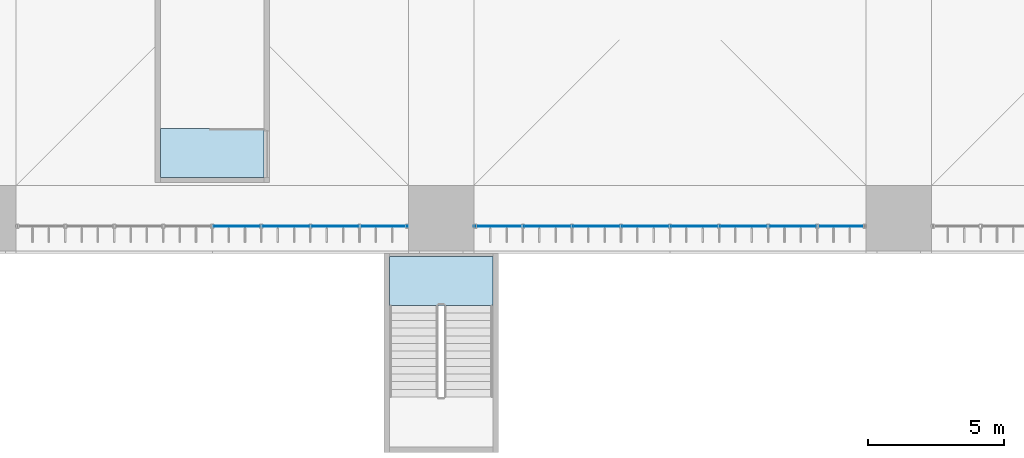
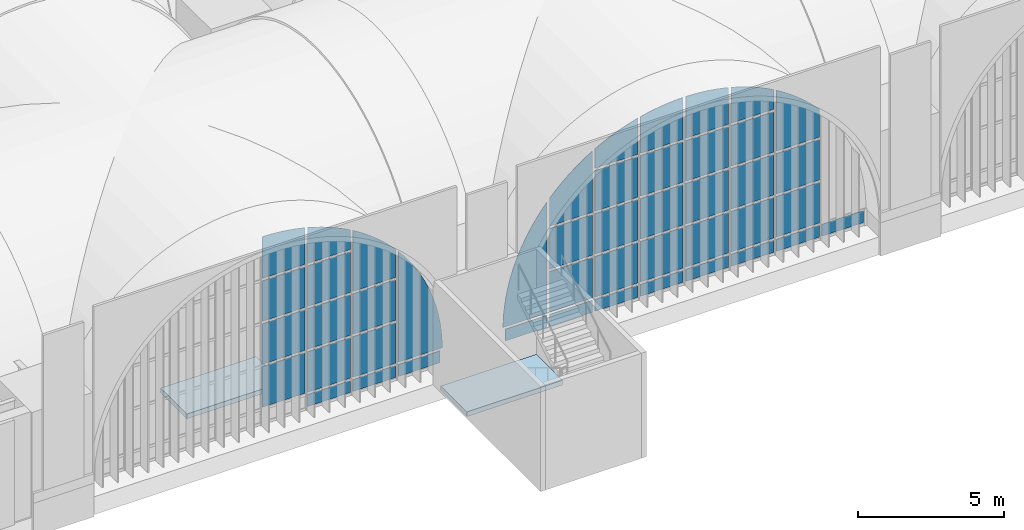
# One storey, part 76 of 169: 46 plates, 2 slabs, 2 elements without a shape of their own.
"""IFC4 building model written with IfcOpenShell, lengths in metres."""

from ifc_helpers import new_model, si_unit, direction, frame, origin, place, context, subcontext, project, spatial, polyline, outline, extrude, material, layer, layer_set, type_object, element, aggregate, save


model = new_model("IFC4")

# Units and contexts
model_context = context("Model", 3, precision=1e-05, world=origin(), true_north=direction((0.0, 1.0)))
body_context = subcontext(model_context, "Body", "Model", "MODEL_VIEW")
ifc_project = project(units=[si_unit("LENGTHUNIT", "METRE"), si_unit("AREAUNIT", "SQUARE_METRE"), si_unit("VOLUMEUNIT", "CUBIC_METRE"), si_unit("PLANEANGLEUNIT", "RADIAN"), si_unit("MASSUNIT", "GRAM", prefix="KILO")], contexts=[model_context])

# Site, building, storey
site_placement = place(None, origin())
site = spatial("IfcSite", under=ifc_project, at=site_placement, CompositionType="ELEMENT")
building_placement = place(site_placement, origin())
building = spatial("IfcBuilding", under=site, at=building_placement, Name="Verrick Yard Athletic Hall", CompositionType="ELEMENT")
storey_placement = place(building_placement, frame((0.0, 0.0, 4.39990234375)))
storey = spatial("IfcBuildingStorey", under=building, at=storey_placement, Name="L01", CompositionType="ELEMENT", Elevation=4.39990234375)

# Slabs
ifc_material_1 = material(Name="Concrete 35 MPa", Category="concrete")
ifc_layer_1 = layer(ifc_material_1, 0.199951171875)
ifc_layer_set_1 = layer_set([ifc_layer_1], Name="Core floor slab 200")
slab_type = type_object("IfcSlabType", Name="Core floor slab 200", PredefinedType="FLOOR", material=ifc_layer_set_1)
slab_1_placement = place(storey_placement, frame((0.0, 0.0, -0.199951171875)))
element("IfcSlab", 1, at=slab_1_placement, inside=storey, type_object=slab_type, Name="CORE-DT-S1-NL-L01", PredefinedType="FLOOR", context=body_context, shape_type="SweptSolid", body=[
    extrude(outline(polyline([(54.89990234375, 17.800048828125), (54.89990234375, 16.0), (58.699951171875, 16.0), (58.699951171875, 17.800048828125), (54.89990234375, 17.800048828125)])), origin(), (0.0, 0.0, 1.0), 0.199951171875),
])
slab_2_placement = place(storey_placement, frame((0.0, 0.0, -0.199951171875)))
element("IfcSlab", 2, at=slab_2_placement, inside=storey, type_object=slab_type, Name="CORE-PS-S1-NL-L01", PredefinedType="FLOOR", context=body_context, shape_type="SweptSolid", body=[
    extrude(outline(polyline([(50.300048828125, 20.699951171875), (50.300048828125, 22.5), (46.5, 22.5), (46.5, 20.699951171875), (50.300048828125, 20.699951171875)])), origin(), (0.0, 0.0, 1.0), 0.199951171875),
])

# Curtain wall, plates
ifc_material_2 = material(Name="Aluminium and glass curtain wall", Category="aluminium")
ifc_layer_2 = layer(ifc_material_2, 0.14990234375)
ifc_layer_set_2 = layer_set([ifc_layer_2], Name="Arcade glazing arch")
curtain_wall_type = type_object("IfcCurtainWallType", Name="Arcade glazing arch", PredefinedType="NOTDEFINED", material=ifc_layer_set_2)
curtain_wall_1_placement = place(storey_placement, origin())
curtain_wall_1 = element("IfcCurtainWall", 3, at=curtain_wall_1_placement, inside=storey, type_object=curtain_wall_type, Name="Arcade glazing S1", PredefinedType="NOTDEFINED")
ifc_material_3 = material(Name="Laminated glass 28 mm", Category="glass")
ifc_layer_3 = layer(ifc_material_3, 0.028076171875)
ifc_layer_set_3 = layer_set([ifc_layer_3], Name="Curtain wall glass panel")
plate_type = type_object("IfcPlateType", Name="Curtain wall glass panel", PredefinedType="CURTAIN_PANEL", material=ifc_layer_set_3)
plate_1_placement = place(storey_placement, frame((41.199951171875, 18.89990234375, 0.700927734375), z_axis=(0.0, 0.0, 1.0), x_axis=(1.0, 0.0, 0.0)))
plate_1 = element("IfcPlate", 4, at=plate_1_placement, type_object=plate_type, Name="Arcade glazing S1 panel 18", PredefinedType="CURTAIN_PANEL", context=body_context, shape_type="SweptSolid", body=[
    extrude(outline(polyline([(8.94921875, 0.0), (8.94921875, 1.698486328125), (7.250732421875, 1.698486328125), (7.250732421875, 0.0), (8.94921875, 0.0)])), frame((0.0, 0.01416015625, 0.0), z_axis=(0.0, -1.0, 0.0), x_axis=(1.0, 0.0, 0.0)), (0.0, 0.0, 1.0), 0.028076171875),
])
plate_2_placement = place(storey_placement, frame((41.199951171875, 18.89990234375, 2.5009765625), z_axis=(0.0, 0.0, 1.0), x_axis=(1.0, 0.0, 0.0)))
plate_2 = element("IfcPlate", 5, at=plate_2_placement, type_object=plate_type, Name="Arcade glazing S1 panel 19", PredefinedType="CURTAIN_PANEL", context=body_context, shape_type="SweptSolid", body=[
    extrude(outline(polyline([(8.94921875, 0.0), (8.94921875, 1.6982421875), (7.250732421875, 1.6982421875), (7.250732421875, 0.0), (8.94921875, 0.0)])), frame((0.0, 0.01416015625, 0.0), z_axis=(0.0, -1.0, 0.0), x_axis=(1.0, 0.0, 0.0)), (0.0, 0.0, 1.0), 0.028076171875),
])
plate_3_placement = place(storey_placement, frame((41.199951171875, 18.89990234375, 4.30078125), z_axis=(0.0, 0.0, 1.0), x_axis=(1.0, 0.0, 0.0)))
plate_3 = element("IfcPlate", 6, at=plate_3_placement, type_object=plate_type, Name="Arcade glazing S1 panel 20", PredefinedType="CURTAIN_PANEL", context=body_context, shape_type="SweptSolid", body=[
    extrude(outline(polyline([(8.94921875, 0.0), (8.94921875, 1.698486328125), (7.250732421875, 1.698486328125), (7.250732421875, 0.0), (8.94921875, 0.0)])), frame((0.0, 0.01416015625, 0.0), z_axis=(0.0, -1.0, 0.0), x_axis=(1.0, 0.0, 0.0)), (0.0, 0.0, 1.0), 0.028076171875),
])
plate_4_placement = place(storey_placement, frame((41.199951171875, 18.89990234375, 6.100830078125), z_axis=(0.0, 0.0, 1.0), x_axis=(1.0, 0.0, 0.0)))
plate_4 = element("IfcPlate", 7, at=plate_4_placement, type_object=plate_type, Name="Arcade glazing S1 panel 21", PredefinedType="CURTAIN_PANEL", context=body_context, shape_type="SweptSolid", body=[
    extrude(outline(polyline([(8.94921875, 1.531982421875), (8.75830078125, 1.57861328125), (8.4501953125, 1.639892578125), (8.139892578125, 1.687744140625), (7.827392578125, 1.721923828125), (7.51416015625, 1.742431640625), (7.250732421875, 1.748046875), (7.250732421875, 0.0), (8.94921875, 0.0), (8.94921875, 1.531982421875)])), frame((0.0, 0.01416015625, 0.0), z_axis=(0.0, -1.0, 0.0), x_axis=(1.0, 0.0, 0.0)), (0.0, 0.0, 1.0), 0.028076171875),
])
plate_5_placement = place(storey_placement, frame((41.199951171875, 18.89990234375, 0.101806640625), z_axis=(0.0, 0.0, 1.0), x_axis=(1.0, 0.0, 0.0)))
plate_5 = element("IfcPlate", 8, at=plate_5_placement, type_object=plate_type, Name="Arcade glazing S1 panel 22", PredefinedType="CURTAIN_PANEL", context=body_context, shape_type="SweptSolid", body=[
    extrude(outline(polyline([(10.749267578125, 0.0), (10.749267578125, 0.49755859375), (9.05078125, 0.49755859375), (9.05078125, 0.0), (10.749267578125, 0.0)])), frame((0.0, 0.01416015625, 0.0), z_axis=(0.0, -1.0, 0.0), x_axis=(1.0, 0.0, 0.0)), (0.0, 0.0, 1.0), 0.028076171875),
])
plate_6_placement = place(storey_placement, frame((41.199951171875, 18.89990234375, 0.700927734375), z_axis=(0.0, 0.0, 1.0), x_axis=(1.0, 0.0, 0.0)))
plate_6 = element("IfcPlate", 9, at=plate_6_placement, type_object=plate_type, Name="Arcade glazing S1 panel 23", PredefinedType="CURTAIN_PANEL", context=body_context, shape_type="SweptSolid", body=[
    extrude(outline(polyline([(10.749267578125, 0.0), (10.749267578125, 1.698486328125), (9.05078125, 1.698486328125), (9.05078125, 0.0), (10.749267578125, 0.0)])), frame((0.0, 0.01416015625, 0.0), z_axis=(0.0, -1.0, 0.0), x_axis=(1.0, 0.0, 0.0)), (0.0, 0.0, 1.0), 0.028076171875),
])
plate_7_placement = place(storey_placement, frame((41.199951171875, 18.89990234375, 2.5009765625), z_axis=(0.0, 0.0, 1.0), x_axis=(1.0, 0.0, 0.0)))
plate_7 = element("IfcPlate", 10, at=plate_7_placement, type_object=plate_type, Name="Arcade glazing S1 panel 24", PredefinedType="CURTAIN_PANEL", context=body_context, shape_type="SweptSolid", body=[
    extrude(outline(polyline([(10.749267578125, 0.0), (10.749267578125, 1.6982421875), (9.05078125, 1.6982421875), (9.05078125, 0.0), (10.749267578125, 0.0)])), frame((0.0, 0.01416015625, 0.0), z_axis=(0.0, -1.0, 0.0), x_axis=(1.0, 0.0, 0.0)), (0.0, 0.0, 1.0), 0.028076171875),
])
plate_8_placement = place(storey_placement, frame((41.199951171875, 18.89990234375, 4.30078125), z_axis=(0.0, 0.0, 1.0), x_axis=(1.0, 0.0, 0.0)))
plate_8 = element("IfcPlate", 11, at=plate_8_placement, type_object=plate_type, Name="Arcade glazing S1 panel 25", PredefinedType="CURTAIN_PANEL", context=body_context, shape_type="SweptSolid", body=[
    extrude(outline(polyline([(10.749267578125, 0.0), (10.749267578125, 1.698486328125), (9.05078125, 1.698486328125), (9.05078125, 0.0), (10.749267578125, 0.0)])), frame((0.0, 0.01416015625, 0.0), z_axis=(0.0, -1.0, 0.0), x_axis=(1.0, 0.0, 0.0)), (0.0, 0.0, 1.0), 0.028076171875),
])
plate_9_placement = place(storey_placement, frame((41.199951171875, 18.89990234375, 6.100830078125), z_axis=(0.0, 0.0, 1.0), x_axis=(1.0, 0.0, 0.0)))
plate_9 = element("IfcPlate", 12, at=plate_9_placement, type_object=plate_type, Name="Arcade glazing S1 panel 26", PredefinedType="CURTAIN_PANEL", context=body_context, shape_type="SweptSolid", body=[
    extrude(outline(polyline([(10.749267578125, 0.8125), (10.524658203125, 0.935791015625), (10.242919921875, 1.07470703125), (9.955322265625, 1.201171875), (9.66259765625, 1.315185546875), (9.364990234375, 1.416015625), (9.0634765625, 1.50390625), (9.05078125, 1.507080078125), (9.05078125, 0.0), (10.749267578125, 0.0), (10.749267578125, 0.8125)])), frame((0.0, 0.01416015625, 0.0), z_axis=(0.0, -1.0, 0.0), x_axis=(1.0, 0.0, 0.0)), (0.0, 0.0, 1.0), 0.028076171875),
])
plate_10_placement = place(storey_placement, frame((41.199951171875, 18.89990234375, 0.101806640625), z_axis=(0.0, 0.0, 1.0), x_axis=(1.0, 0.0, 0.0)))
plate_10 = element("IfcPlate", 13, at=plate_10_placement, type_object=plate_type, Name="Arcade glazing S1 panel 27", PredefinedType="CURTAIN_PANEL", context=body_context, shape_type="SweptSolid", body=[
    extrude(outline(polyline([(12.54931640625, 0.0), (12.54931640625, 0.49755859375), (10.850830078125, 0.49755859375), (10.850830078125, 0.0), (12.54931640625, 0.0)])), frame((0.0, 0.01416015625, 0.0), z_axis=(0.0, -1.0, 0.0), x_axis=(1.0, 0.0, 0.0)), (0.0, 0.0, 1.0), 0.028076171875),
])
plate_11_placement = place(storey_placement, frame((41.199951171875, 18.89990234375, 0.700927734375), z_axis=(0.0, 0.0, 1.0), x_axis=(1.0, 0.0, 0.0)))
plate_11 = element("IfcPlate", 14, at=plate_11_placement, type_object=plate_type, Name="Arcade glazing S1 panel 28", PredefinedType="CURTAIN_PANEL", context=body_context, shape_type="SweptSolid", body=[
    extrude(outline(polyline([(12.54931640625, 0.0), (12.54931640625, 1.698486328125), (10.850830078125, 1.698486328125), (10.850830078125, 0.0), (12.54931640625, 0.0)])), frame((0.0, 0.01416015625, 0.0), z_axis=(0.0, -1.0, 0.0), x_axis=(1.0, 0.0, 0.0)), (0.0, 0.0, 1.0), 0.028076171875),
])
plate_12_placement = place(storey_placement, frame((41.199951171875, 18.89990234375, 2.5009765625), z_axis=(0.0, 0.0, 1.0), x_axis=(1.0, 0.0, 0.0)))
plate_12 = element("IfcPlate", 15, at=plate_12_placement, type_object=plate_type, Name="Arcade glazing S1 panel 29", PredefinedType="CURTAIN_PANEL", context=body_context, shape_type="SweptSolid", body=[
    extrude(outline(polyline([(12.54931640625, 0.0), (12.54931640625, 1.6982421875), (10.850830078125, 1.6982421875), (10.850830078125, 0.0), (12.54931640625, 0.0)])), frame((0.0, 0.01416015625, 0.0), z_axis=(0.0, -1.0, 0.0), x_axis=(1.0, 0.0, 0.0)), (0.0, 0.0, 1.0), 0.028076171875),
])
plate_13_placement = place(storey_placement, frame((41.199951171875, 18.89990234375, 4.30078125), z_axis=(0.0, 0.0, 1.0), x_axis=(1.0, 0.0, 0.0)))
plate_13 = element("IfcPlate", 16, at=plate_13_placement, type_object=plate_type, Name="Arcade glazing S1 panel 30", PredefinedType="CURTAIN_PANEL", context=body_context, shape_type="SweptSolid", body=[
    extrude(outline(polyline([(12.54931640625, 1.1669921875), (12.50830078125, 1.213623046875), (12.291259765625, 1.4404296875), (12.064208984375, 1.65771484375), (11.828125, 1.86474609375), (11.5830078125, 2.0615234375), (11.329833984375, 2.247314453125), (11.068603515625, 2.421630859375), (10.850830078125, 2.553955078125), (10.850830078125, 0.0), (12.54931640625, 0.0), (12.54931640625, 1.1669921875)])), frame((0.0, 0.01416015625, 0.0), z_axis=(0.0, -1.0, 0.0), x_axis=(1.0, 0.0, 0.0)), (0.0, 0.0, 1.0), 0.028076171875),
])
plate_14_placement = place(storey_placement, frame((41.199951171875, 18.89990234375, 0.101806640625), z_axis=(0.0, 0.0, 1.0), x_axis=(1.0, 0.0, 0.0)))
plate_14 = element("IfcPlate", 17, at=plate_14_placement, type_object=plate_type, Name="Arcade glazing S1 panel 31", PredefinedType="CURTAIN_PANEL", context=body_context, shape_type="SweptSolid", body=[
    extrude(outline(polyline([(14.2978515625, 0.0), (14.2978515625, 0.49755859375), (12.65087890625, 0.49755859375), (12.65087890625, 0.0), (14.2978515625, 0.0)])), frame((0.0, 0.01416015625, 0.0), z_axis=(0.0, -1.0, 0.0), x_axis=(1.0, 0.0, 0.0)), (0.0, 0.0, 1.0), 0.028076171875),
])
plate_15_placement = place(storey_placement, frame((41.199951171875, 18.89990234375, 0.700927734375), z_axis=(0.0, 0.0, 1.0), x_axis=(1.0, 0.0, 0.0)))
plate_15 = element("IfcPlate", 18, at=plate_15_placement, type_object=plate_type, Name="Arcade glazing S1 panel 32", PredefinedType="CURTAIN_PANEL", context=body_context, shape_type="SweptSolid", body=[
    extrude(outline(polyline([(14.39892578125, 0.0), (14.39306640625, 0.26318359375), (14.37255859375, 0.57666015625), (14.33837890625, 0.888916015625), (14.29052734375, 1.199462890625), (14.229248046875, 1.507568359375), (14.15478515625, 1.812744140625), (14.06689453125, 2.1142578125), (13.9658203125, 2.41162109375), (13.851806640625, 2.70458984375), (13.725341796875, 2.9921875), (13.58642578125, 3.273681640625), (13.435302734375, 3.549072265625), (13.2724609375, 3.81787109375), (13.097900390625, 4.078857421875), (12.912109375, 4.332275390625), (12.715576171875, 4.5771484375), (12.65087890625, 4.651123046875), (12.65087890625, 0.0), (14.39892578125, 0.0)])), frame((0.0, 0.01416015625, 0.0), z_axis=(0.0, -1.0, 0.0), x_axis=(1.0, 0.0, 0.0)), (0.0, 0.0, 1.0), 0.028076171875),
])
aggregate(curtain_wall_1, [plate_1, plate_2, plate_3, plate_4, plate_5, plate_6, plate_7, plate_8, plate_9, plate_10, plate_11, plate_12, plate_13, plate_14, plate_15])

curtain_wall_2_placement = place(storey_placement, origin())
curtain_wall_2 = element("IfcCurtainWall", 19, at=curtain_wall_2_placement, inside=storey, type_object=curtain_wall_type, Name="Arcade glazing S2", PredefinedType="NOTDEFINED")
plate_16_placement = place(storey_placement, frame((58.0, 18.89990234375, 0.101806640625), z_axis=(0.0, 0.0, 1.0), x_axis=(1.0, 0.0, 0.0)))
plate_16 = element("IfcPlate", 20, at=plate_16_placement, type_object=plate_type, Name="Arcade glazing S2 panel 1", PredefinedType="CURTAIN_PANEL", context=body_context, shape_type="SweptSolid", body=[
    extrude(outline(polyline([(1.749267578125, 0.0), (1.749267578125, 0.49755859375), (0.10205078125, 0.49755859375), (0.10205078125, 0.0), (1.749267578125, 0.0)])), frame((0.0, 0.01416015625, 0.0), z_axis=(0.0, -1.0, 0.0), x_axis=(1.0, 0.0, 0.0)), (0.0, 0.0, 1.0), 0.028076171875),
])
plate_17_placement = place(storey_placement, frame((58.0, 18.89990234375, 0.700927734375), z_axis=(0.0, 0.0, 1.0), x_axis=(1.0, 0.0, 0.0)))
plate_17 = element("IfcPlate", 21, at=plate_17_placement, type_object=plate_type, Name="Arcade glazing S2 panel 2", PredefinedType="CURTAIN_PANEL", context=body_context, shape_type="SweptSolid", body=[
    extrude(outline(polyline([(1.749267578125, 4.651123046875), (1.6845703125, 4.5771484375), (1.48779296875, 4.332275390625), (1.302001953125, 4.078857421875), (1.127685546875, 3.81787109375), (0.964599609375, 3.549072265625), (0.8134765625, 3.273681640625), (0.674560546875, 2.9921875), (0.548095703125, 2.70458984375), (0.43408203125, 2.41162109375), (0.333251953125, 2.1142578125), (0.245361328125, 1.812744140625), (0.170654296875, 1.507568359375), (0.109375, 1.199462890625), (0.0615234375, 0.888916015625), (0.02734375, 0.57666015625), (0.0068359375, 0.26318359375), (0.001220703125, 0.0), (1.749267578125, 0.0), (1.749267578125, 4.651123046875)])), frame((0.0, 0.01416015625, 0.0), z_axis=(0.0, -1.0, 0.0), x_axis=(1.0, 0.0, 0.0)), (0.0, 0.0, 1.0), 0.028076171875),
])
plate_18_placement = place(storey_placement, frame((58.0, 18.89990234375, 0.101806640625), z_axis=(0.0, 0.0, 1.0), x_axis=(1.0, 0.0, 0.0)))
plate_18 = element("IfcPlate", 22, at=plate_18_placement, type_object=plate_type, Name="Arcade glazing S2 panel 3", PredefinedType="CURTAIN_PANEL", context=body_context, shape_type="SweptSolid", body=[
    extrude(outline(polyline([(3.54931640625, 0.0), (3.54931640625, 0.49755859375), (1.850830078125, 0.49755859375), (1.850830078125, 0.0), (3.54931640625, 0.0)])), frame((0.0, 0.01416015625, 0.0), z_axis=(0.0, -1.0, 0.0), x_axis=(1.0, 0.0, 0.0)), (0.0, 0.0, 1.0), 0.028076171875),
])
plate_19_placement = place(storey_placement, frame((58.0, 18.89990234375, 0.700927734375), z_axis=(0.0, 0.0, 1.0), x_axis=(1.0, 0.0, 0.0)))
plate_19 = element("IfcPlate", 23, at=plate_19_placement, type_object=plate_type, Name="Arcade glazing S2 panel 4", PredefinedType="CURTAIN_PANEL", context=body_context, shape_type="SweptSolid", body=[
    extrude(outline(polyline([(3.54931640625, 0.0), (3.54931640625, 1.698486328125), (1.850830078125, 1.698486328125), (1.850830078125, 0.0), (3.54931640625, 0.0)])), frame((0.0, 0.01416015625, 0.0), z_axis=(0.0, -1.0, 0.0), x_axis=(1.0, 0.0, 0.0)), (0.0, 0.0, 1.0), 0.028076171875),
])
plate_20_placement = place(storey_placement, frame((58.0, 18.89990234375, 2.5009765625), z_axis=(0.0, 0.0, 1.0), x_axis=(1.0, 0.0, 0.0)))
plate_20 = element("IfcPlate", 24, at=plate_20_placement, type_object=plate_type, Name="Arcade glazing S2 panel 5", PredefinedType="CURTAIN_PANEL", context=body_context, shape_type="SweptSolid", body=[
    extrude(outline(polyline([(3.54931640625, 0.0), (3.54931640625, 1.6982421875), (1.850830078125, 1.6982421875), (1.850830078125, 0.0), (3.54931640625, 0.0)])), frame((0.0, 0.01416015625, 0.0), z_axis=(0.0, -1.0, 0.0), x_axis=(1.0, 0.0, 0.0)), (0.0, 0.0, 1.0), 0.028076171875),
])
plate_21_placement = place(storey_placement, frame((58.0, 18.89990234375, 4.30078125), z_axis=(0.0, 0.0, 1.0), x_axis=(1.0, 0.0, 0.0)))
plate_21 = element("IfcPlate", 25, at=plate_21_placement, type_object=plate_type, Name="Arcade glazing S2 panel 6", PredefinedType="CURTAIN_PANEL", context=body_context, shape_type="SweptSolid", body=[
    extrude(outline(polyline([(3.54931640625, 2.553955078125), (3.331298828125, 2.421630859375), (3.0703125, 2.247314453125), (2.81689453125, 2.0615234375), (2.572021484375, 1.86474609375), (2.335693359375, 1.65771484375), (2.10888671875, 1.4404296875), (1.8916015625, 1.213623046875), (1.850830078125, 1.1669921875), (1.850830078125, 0.0), (3.54931640625, 0.0), (3.54931640625, 2.553955078125)])), frame((0.0, 0.01416015625, 0.0), z_axis=(0.0, -1.0, 0.0), x_axis=(1.0, 0.0, 0.0)), (0.0, 0.0, 1.0), 0.028076171875),
])
plate_22_placement = place(storey_placement, frame((58.0, 18.89990234375, 0.101806640625), z_axis=(0.0, 0.0, 1.0), x_axis=(1.0, 0.0, 0.0)))
plate_22 = element("IfcPlate", 26, at=plate_22_placement, type_object=plate_type, Name="Arcade glazing S2 panel 7", PredefinedType="CURTAIN_PANEL", context=body_context, shape_type="SweptSolid", body=[
    extrude(outline(polyline([(5.34912109375, 0.0), (5.34912109375, 0.49755859375), (3.65087890625, 0.49755859375), (3.65087890625, 0.0), (5.34912109375, 0.0)])), frame((0.0, 0.01416015625, 0.0), z_axis=(0.0, -1.0, 0.0), x_axis=(1.0, 0.0, 0.0)), (0.0, 0.0, 1.0), 0.028076171875),
])
plate_23_placement = place(storey_placement, frame((58.0, 18.89990234375, 0.700927734375), z_axis=(0.0, 0.0, 1.0), x_axis=(1.0, 0.0, 0.0)))
plate_23 = element("IfcPlate", 27, at=plate_23_placement, type_object=plate_type, Name="Arcade glazing S2 panel 8", PredefinedType="CURTAIN_PANEL", context=body_context, shape_type="SweptSolid", body=[
    extrude(outline(polyline([(5.34912109375, 0.0), (5.34912109375, 1.698486328125), (3.65087890625, 1.698486328125), (3.65087890625, 0.0), (5.34912109375, 0.0)])), frame((0.0, 0.01416015625, 0.0), z_axis=(0.0, -1.0, 0.0), x_axis=(1.0, 0.0, 0.0)), (0.0, 0.0, 1.0), 0.028076171875),
])
plate_24_placement = place(storey_placement, frame((58.0, 18.89990234375, 2.5009765625), z_axis=(0.0, 0.0, 1.0), x_axis=(1.0, 0.0, 0.0)))
plate_24 = element("IfcPlate", 28, at=plate_24_placement, type_object=plate_type, Name="Arcade glazing S2 panel 9", PredefinedType="CURTAIN_PANEL", context=body_context, shape_type="SweptSolid", body=[
    extrude(outline(polyline([(5.34912109375, 0.0), (5.34912109375, 1.6982421875), (3.65087890625, 1.6982421875), (3.65087890625, 0.0), (5.34912109375, 0.0)])), frame((0.0, 0.01416015625, 0.0), z_axis=(0.0, -1.0, 0.0), x_axis=(1.0, 0.0, 0.0)), (0.0, 0.0, 1.0), 0.028076171875),
])
plate_25_placement = place(storey_placement, frame((58.0, 18.89990234375, 4.30078125), z_axis=(0.0, 0.0, 1.0), x_axis=(1.0, 0.0, 0.0)))
plate_25 = element("IfcPlate", 29, at=plate_25_placement, type_object=plate_type, Name="Arcade glazing S2 panel 10", PredefinedType="CURTAIN_PANEL", context=body_context, shape_type="SweptSolid", body=[
    extrude(outline(polyline([(5.34912109375, 0.0), (5.34912109375, 1.698486328125), (3.65087890625, 1.698486328125), (3.65087890625, 0.0), (5.34912109375, 0.0)])), frame((0.0, 0.01416015625, 0.0), z_axis=(0.0, -1.0, 0.0), x_axis=(1.0, 0.0, 0.0)), (0.0, 0.0, 1.0), 0.028076171875),
])
plate_26_placement = place(storey_placement, frame((58.0, 18.89990234375, 6.100830078125), z_axis=(0.0, 0.0, 1.0), x_axis=(1.0, 0.0, 0.0)))
plate_26 = element("IfcPlate", 30, at=plate_26_placement, type_object=plate_type, Name="Arcade glazing S2 panel 11", PredefinedType="CURTAIN_PANEL", context=body_context, shape_type="SweptSolid", body=[
    extrude(outline(polyline([(5.34912109375, 1.507080078125), (5.33642578125, 1.50390625), (5.034912109375, 1.416015625), (4.737548828125, 1.315185546875), (4.444580078125, 1.201171875), (4.156982421875, 1.07470703125), (3.87548828125, 0.935791015625), (3.65087890625, 0.8125), (3.65087890625, 0.0), (5.34912109375, 0.0), (5.34912109375, 1.507080078125)])), frame((0.0, 0.01416015625, 0.0), z_axis=(0.0, -1.0, 0.0), x_axis=(1.0, 0.0, 0.0)), (0.0, 0.0, 1.0), 0.028076171875),
])
plate_27_placement = place(storey_placement, frame((58.0, 18.89990234375, 0.101806640625), z_axis=(0.0, 0.0, 1.0), x_axis=(1.0, 0.0, 0.0)))
plate_27 = element("IfcPlate", 31, at=plate_27_placement, type_object=plate_type, Name="Arcade glazing S2 panel 12", PredefinedType="CURTAIN_PANEL", context=body_context, shape_type="SweptSolid", body=[
    extrude(outline(polyline([(7.149169921875, 0.0), (7.149169921875, 0.49755859375), (5.45068359375, 0.49755859375), (5.45068359375, 0.0), (7.149169921875, 0.0)])), frame((0.0, 0.01416015625, 0.0), z_axis=(0.0, -1.0, 0.0), x_axis=(1.0, 0.0, 0.0)), (0.0, 0.0, 1.0), 0.028076171875),
])
plate_28_placement = place(storey_placement, frame((58.0, 18.89990234375, 0.700927734375), z_axis=(0.0, 0.0, 1.0), x_axis=(1.0, 0.0, 0.0)))
plate_28 = element("IfcPlate", 32, at=plate_28_placement, type_object=plate_type, Name="Arcade glazing S2 panel 13", PredefinedType="CURTAIN_PANEL", context=body_context, shape_type="SweptSolid", body=[
    extrude(outline(polyline([(7.149169921875, 0.0), (7.149169921875, 1.698486328125), (5.45068359375, 1.698486328125), (5.45068359375, 0.0), (7.149169921875, 0.0)])), frame((0.0, 0.01416015625, 0.0), z_axis=(0.0, -1.0, 0.0), x_axis=(1.0, 0.0, 0.0)), (0.0, 0.0, 1.0), 0.028076171875),
])
plate_29_placement = place(storey_placement, frame((58.0, 18.89990234375, 2.5009765625), z_axis=(0.0, 0.0, 1.0), x_axis=(1.0, 0.0, 0.0)))
plate_29 = element("IfcPlate", 33, at=plate_29_placement, type_object=plate_type, Name="Arcade glazing S2 panel 14", PredefinedType="CURTAIN_PANEL", context=body_context, shape_type="SweptSolid", body=[
    extrude(outline(polyline([(7.149169921875, 0.0), (7.149169921875, 1.6982421875), (5.45068359375, 1.6982421875), (5.45068359375, 0.0), (7.149169921875, 0.0)])), frame((0.0, 0.01416015625, 0.0), z_axis=(0.0, -1.0, 0.0), x_axis=(1.0, 0.0, 0.0)), (0.0, 0.0, 1.0), 0.028076171875),
])
plate_30_placement = place(storey_placement, frame((58.0, 18.89990234375, 4.30078125), z_axis=(0.0, 0.0, 1.0), x_axis=(1.0, 0.0, 0.0)))
plate_30 = element("IfcPlate", 34, at=plate_30_placement, type_object=plate_type, Name="Arcade glazing S2 panel 15", PredefinedType="CURTAIN_PANEL", context=body_context, shape_type="SweptSolid", body=[
    extrude(outline(polyline([(7.149169921875, 0.0), (7.149169921875, 1.698486328125), (5.45068359375, 1.698486328125), (5.45068359375, 0.0), (7.149169921875, 0.0)])), frame((0.0, 0.01416015625, 0.0), z_axis=(0.0, -1.0, 0.0), x_axis=(1.0, 0.0, 0.0)), (0.0, 0.0, 1.0), 0.028076171875),
])
plate_31_placement = place(storey_placement, frame((58.0, 18.89990234375, 6.100830078125), z_axis=(0.0, 0.0, 1.0), x_axis=(1.0, 0.0, 0.0)))
plate_31 = element("IfcPlate", 35, at=plate_31_placement, type_object=plate_type, Name="Arcade glazing S2 panel 16", PredefinedType="CURTAIN_PANEL", context=body_context, shape_type="SweptSolid", body=[
    extrude(outline(polyline([(7.149169921875, 1.748046875), (6.885986328125, 1.742431640625), (6.572509765625, 1.721923828125), (6.26025390625, 1.687744140625), (5.94970703125, 1.639892578125), (5.6416015625, 1.57861328125), (5.45068359375, 1.531982421875), (5.45068359375, 0.0), (7.149169921875, 0.0), (7.149169921875, 1.748046875)])), frame((0.0, 0.01416015625, 0.0), z_axis=(0.0, -1.0, 0.0), x_axis=(1.0, 0.0, 0.0)), (0.0, 0.0, 1.0), 0.028076171875),
])
plate_32_placement = place(storey_placement, frame((58.0, 18.89990234375, 0.101806640625), z_axis=(0.0, 0.0, 1.0), x_axis=(1.0, 0.0, 0.0)))
plate_32 = element("IfcPlate", 36, at=plate_32_placement, type_object=plate_type, Name="Arcade glazing S2 panel 17", PredefinedType="CURTAIN_PANEL", context=body_context, shape_type="SweptSolid", body=[
    extrude(outline(polyline([(8.94921875, 0.0), (8.94921875, 0.49755859375), (7.250732421875, 0.49755859375), (7.250732421875, 0.0), (8.94921875, 0.0)])), frame((0.0, 0.01416015625, 0.0), z_axis=(0.0, -1.0, 0.0), x_axis=(1.0, 0.0, 0.0)), (0.0, 0.0, 1.0), 0.028076171875),
])
plate_33_placement = place(storey_placement, frame((58.0, 18.89990234375, 0.700927734375), z_axis=(0.0, 0.0, 1.0), x_axis=(1.0, 0.0, 0.0)))
plate_33 = element("IfcPlate", 37, at=plate_33_placement, type_object=plate_type, Name="Arcade glazing S2 panel 18", PredefinedType="CURTAIN_PANEL", context=body_context, shape_type="SweptSolid", body=[
    extrude(outline(polyline([(8.94921875, 0.0), (8.94921875, 1.698486328125), (7.250732421875, 1.698486328125), (7.250732421875, 0.0), (8.94921875, 0.0)])), frame((0.0, 0.01416015625, 0.0), z_axis=(0.0, -1.0, 0.0), x_axis=(1.0, 0.0, 0.0)), (0.0, 0.0, 1.0), 0.028076171875),
])
plate_34_placement = place(storey_placement, frame((58.0, 18.89990234375, 2.5009765625), z_axis=(0.0, 0.0, 1.0), x_axis=(1.0, 0.0, 0.0)))
plate_34 = element("IfcPlate", 38, at=plate_34_placement, type_object=plate_type, Name="Arcade glazing S2 panel 19", PredefinedType="CURTAIN_PANEL", context=body_context, shape_type="SweptSolid", body=[
    extrude(outline(polyline([(8.94921875, 0.0), (8.94921875, 1.6982421875), (7.250732421875, 1.6982421875), (7.250732421875, 0.0), (8.94921875, 0.0)])), frame((0.0, 0.01416015625, 0.0), z_axis=(0.0, -1.0, 0.0), x_axis=(1.0, 0.0, 0.0)), (0.0, 0.0, 1.0), 0.028076171875),
])
plate_35_placement = place(storey_placement, frame((58.0, 18.89990234375, 4.30078125), z_axis=(0.0, 0.0, 1.0), x_axis=(1.0, 0.0, 0.0)))
plate_35 = element("IfcPlate", 39, at=plate_35_placement, type_object=plate_type, Name="Arcade glazing S2 panel 20", PredefinedType="CURTAIN_PANEL", context=body_context, shape_type="SweptSolid", body=[
    extrude(outline(polyline([(8.94921875, 0.0), (8.94921875, 1.698486328125), (7.250732421875, 1.698486328125), (7.250732421875, 0.0), (8.94921875, 0.0)])), frame((0.0, 0.01416015625, 0.0), z_axis=(0.0, -1.0, 0.0), x_axis=(1.0, 0.0, 0.0)), (0.0, 0.0, 1.0), 0.028076171875),
])
plate_36_placement = place(storey_placement, frame((58.0, 18.89990234375, 6.100830078125), z_axis=(0.0, 0.0, 1.0), x_axis=(1.0, 0.0, 0.0)))
plate_36 = element("IfcPlate", 40, at=plate_36_placement, type_object=plate_type, Name="Arcade glazing S2 panel 21", PredefinedType="CURTAIN_PANEL", context=body_context, shape_type="SweptSolid", body=[
    extrude(outline(polyline([(8.94921875, 1.531982421875), (8.75830078125, 1.57861328125), (8.4501953125, 1.639892578125), (8.139892578125, 1.687744140625), (7.827392578125, 1.721923828125), (7.51416015625, 1.742431640625), (7.250732421875, 1.748046875), (7.250732421875, 0.0), (8.94921875, 0.0), (8.94921875, 1.531982421875)])), frame((0.0, 0.01416015625, 0.0), z_axis=(0.0, -1.0, 0.0), x_axis=(1.0, 0.0, 0.0)), (0.0, 0.0, 1.0), 0.028076171875),
])
plate_37_placement = place(storey_placement, frame((58.0, 18.89990234375, 0.101806640625), z_axis=(0.0, 0.0, 1.0), x_axis=(1.0, 0.0, 0.0)))
plate_37 = element("IfcPlate", 41, at=plate_37_placement, type_object=plate_type, Name="Arcade glazing S2 panel 22", PredefinedType="CURTAIN_PANEL", context=body_context, shape_type="SweptSolid", body=[
    extrude(outline(polyline([(10.749267578125, 0.0), (10.749267578125, 0.49755859375), (9.05078125, 0.49755859375), (9.05078125, 0.0), (10.749267578125, 0.0)])), frame((0.0, 0.01416015625, 0.0), z_axis=(0.0, -1.0, 0.0), x_axis=(1.0, 0.0, 0.0)), (0.0, 0.0, 1.0), 0.028076171875),
])
plate_38_placement = place(storey_placement, frame((58.0, 18.89990234375, 0.700927734375), z_axis=(0.0, 0.0, 1.0), x_axis=(1.0, 0.0, 0.0)))
plate_38 = element("IfcPlate", 42, at=plate_38_placement, type_object=plate_type, Name="Arcade glazing S2 panel 23", PredefinedType="CURTAIN_PANEL", context=body_context, shape_type="SweptSolid", body=[
    extrude(outline(polyline([(10.749267578125, 0.0), (10.749267578125, 1.698486328125), (9.05078125, 1.698486328125), (9.05078125, 0.0), (10.749267578125, 0.0)])), frame((0.0, 0.01416015625, 0.0), z_axis=(0.0, -1.0, 0.0), x_axis=(1.0, 0.0, 0.0)), (0.0, 0.0, 1.0), 0.028076171875),
])
plate_39_placement = place(storey_placement, frame((58.0, 18.89990234375, 2.5009765625), z_axis=(0.0, 0.0, 1.0), x_axis=(1.0, 0.0, 0.0)))
plate_39 = element("IfcPlate", 43, at=plate_39_placement, type_object=plate_type, Name="Arcade glazing S2 panel 24", PredefinedType="CURTAIN_PANEL", context=body_context, shape_type="SweptSolid", body=[
    extrude(outline(polyline([(10.749267578125, 0.0), (10.749267578125, 1.6982421875), (9.05078125, 1.6982421875), (9.05078125, 0.0), (10.749267578125, 0.0)])), frame((0.0, 0.01416015625, 0.0), z_axis=(0.0, -1.0, 0.0), x_axis=(1.0, 0.0, 0.0)), (0.0, 0.0, 1.0), 0.028076171875),
])
plate_40_placement = place(storey_placement, frame((58.0, 18.89990234375, 4.30078125), z_axis=(0.0, 0.0, 1.0), x_axis=(1.0, 0.0, 0.0)))
plate_40 = element("IfcPlate", 44, at=plate_40_placement, type_object=plate_type, Name="Arcade glazing S2 panel 25", PredefinedType="CURTAIN_PANEL", context=body_context, shape_type="SweptSolid", body=[
    extrude(outline(polyline([(10.749267578125, 0.0), (10.749267578125, 1.698486328125), (9.05078125, 1.698486328125), (9.05078125, 0.0), (10.749267578125, 0.0)])), frame((0.0, 0.01416015625, 0.0), z_axis=(0.0, -1.0, 0.0), x_axis=(1.0, 0.0, 0.0)), (0.0, 0.0, 1.0), 0.028076171875),
])
plate_41_placement = place(storey_placement, frame((58.0, 18.89990234375, 6.100830078125), z_axis=(0.0, 0.0, 1.0), x_axis=(1.0, 0.0, 0.0)))
plate_41 = element("IfcPlate", 45, at=plate_41_placement, type_object=plate_type, Name="Arcade glazing S2 panel 26", PredefinedType="CURTAIN_PANEL", context=body_context, shape_type="SweptSolid", body=[
    extrude(outline(polyline([(10.749267578125, 0.8125), (10.524658203125, 0.935791015625), (10.242919921875, 1.07470703125), (9.955322265625, 1.201171875), (9.66259765625, 1.315185546875), (9.364990234375, 1.416015625), (9.0634765625, 1.50390625), (9.05078125, 1.507080078125), (9.05078125, 0.0), (10.749267578125, 0.0), (10.749267578125, 0.8125)])), frame((0.0, 0.01416015625, 0.0), z_axis=(0.0, -1.0, 0.0), x_axis=(1.0, 0.0, 0.0)), (0.0, 0.0, 1.0), 0.028076171875),
])
plate_42_placement = place(storey_placement, frame((58.0, 18.89990234375, 0.101806640625), z_axis=(0.0, 0.0, 1.0), x_axis=(1.0, 0.0, 0.0)))
plate_42 = element("IfcPlate", 46, at=plate_42_placement, type_object=plate_type, Name="Arcade glazing S2 panel 27", PredefinedType="CURTAIN_PANEL", context=body_context, shape_type="SweptSolid", body=[
    extrude(outline(polyline([(12.54931640625, 0.0), (12.54931640625, 0.49755859375), (10.850830078125, 0.49755859375), (10.850830078125, 0.0), (12.54931640625, 0.0)])), frame((0.0, 0.01416015625, 0.0), z_axis=(0.0, -1.0, 0.0), x_axis=(1.0, 0.0, 0.0)), (0.0, 0.0, 1.0), 0.028076171875),
])
plate_43_placement = place(storey_placement, frame((58.0, 18.89990234375, 0.700927734375), z_axis=(0.0, 0.0, 1.0), x_axis=(1.0, 0.0, 0.0)))
plate_43 = element("IfcPlate", 47, at=plate_43_placement, type_object=plate_type, Name="Arcade glazing S2 panel 28", PredefinedType="CURTAIN_PANEL", context=body_context, shape_type="SweptSolid", body=[
    extrude(outline(polyline([(12.54931640625, 0.0), (12.54931640625, 1.698486328125), (10.850830078125, 1.698486328125), (10.850830078125, 0.0), (12.54931640625, 0.0)])), frame((0.0, 0.01416015625, 0.0), z_axis=(0.0, -1.0, 0.0), x_axis=(1.0, 0.0, 0.0)), (0.0, 0.0, 1.0), 0.028076171875),
])
plate_44_placement = place(storey_placement, frame((58.0, 18.89990234375, 2.5009765625), z_axis=(0.0, 0.0, 1.0), x_axis=(1.0, 0.0, 0.0)))
plate_44 = element("IfcPlate", 48, at=plate_44_placement, type_object=plate_type, Name="Arcade glazing S2 panel 29", PredefinedType="CURTAIN_PANEL", context=body_context, shape_type="SweptSolid", body=[
    extrude(outline(polyline([(12.54931640625, 0.0), (12.54931640625, 1.6982421875), (10.850830078125, 1.6982421875), (10.850830078125, 0.0), (12.54931640625, 0.0)])), frame((0.0, 0.01416015625, 0.0), z_axis=(0.0, -1.0, 0.0), x_axis=(1.0, 0.0, 0.0)), (0.0, 0.0, 1.0), 0.028076171875),
])
plate_45_placement = place(storey_placement, frame((58.0, 18.89990234375, 4.30078125), z_axis=(0.0, 0.0, 1.0), x_axis=(1.0, 0.0, 0.0)))
plate_45 = element("IfcPlate", 49, at=plate_45_placement, type_object=plate_type, Name="Arcade glazing S2 panel 30", PredefinedType="CURTAIN_PANEL", context=body_context, shape_type="SweptSolid", body=[
    extrude(outline(polyline([(12.54931640625, 1.1669921875), (12.50830078125, 1.213623046875), (12.291259765625, 1.4404296875), (12.064208984375, 1.65771484375), (11.828125, 1.86474609375), (11.5830078125, 2.0615234375), (11.329833984375, 2.247314453125), (11.068603515625, 2.421630859375), (10.850830078125, 2.553955078125), (10.850830078125, 0.0), (12.54931640625, 0.0), (12.54931640625, 1.1669921875)])), frame((0.0, 0.01416015625, 0.0), z_axis=(0.0, -1.0, 0.0), x_axis=(1.0, 0.0, 0.0)), (0.0, 0.0, 1.0), 0.028076171875),
])
plate_46_placement = place(storey_placement, frame((58.0, 18.89990234375, 0.101806640625), z_axis=(0.0, 0.0, 1.0), x_axis=(1.0, 0.0, 0.0)))
plate_46 = element("IfcPlate", 50, at=plate_46_placement, type_object=plate_type, Name="Arcade glazing S2 panel 31", PredefinedType="CURTAIN_PANEL", context=body_context, shape_type="SweptSolid", body=[
    extrude(outline(polyline([(14.2978515625, 0.0), (14.2978515625, 0.49755859375), (12.65087890625, 0.49755859375), (12.65087890625, 0.0), (14.2978515625, 0.0)])), frame((0.0, 0.01416015625, 0.0), z_axis=(0.0, -1.0, 0.0), x_axis=(1.0, 0.0, 0.0)), (0.0, 0.0, 1.0), 0.028076171875),
])
aggregate(curtain_wall_2, [plate_16, plate_17, plate_18, plate_19, plate_20, plate_21, plate_22, plate_23, plate_24, plate_25, plate_26, plate_27, plate_28, plate_29, plate_30, plate_31, plate_32, plate_33, plate_34, plate_35, plate_36, plate_37, plate_38, plate_39, plate_40, plate_41, plate_42, plate_43, plate_44, plate_45, plate_46])

save(model, "model.ifc")
